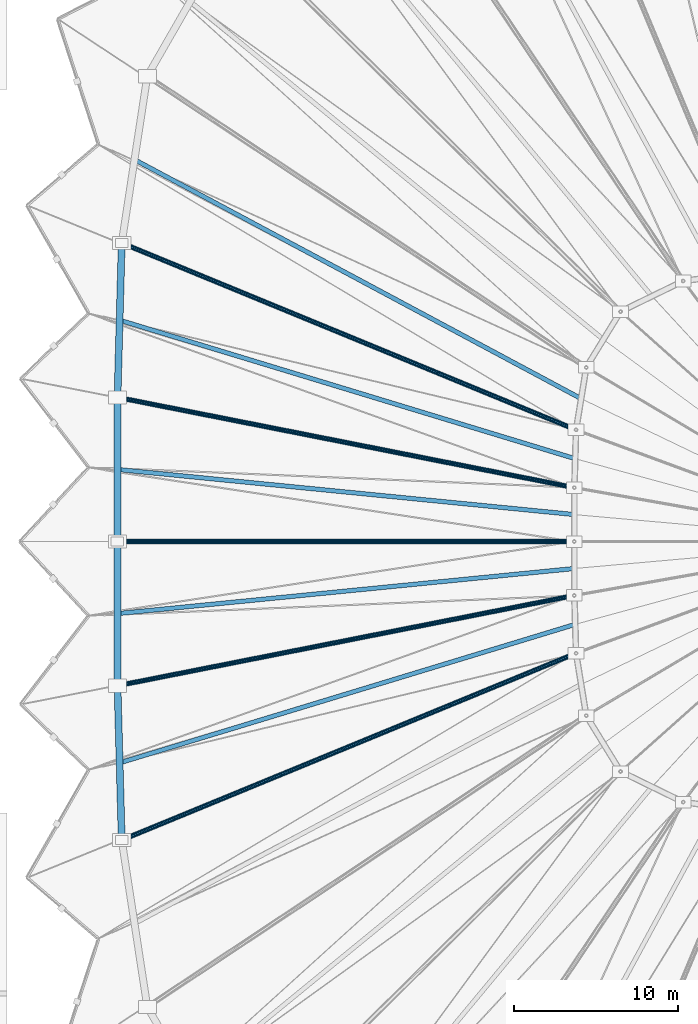
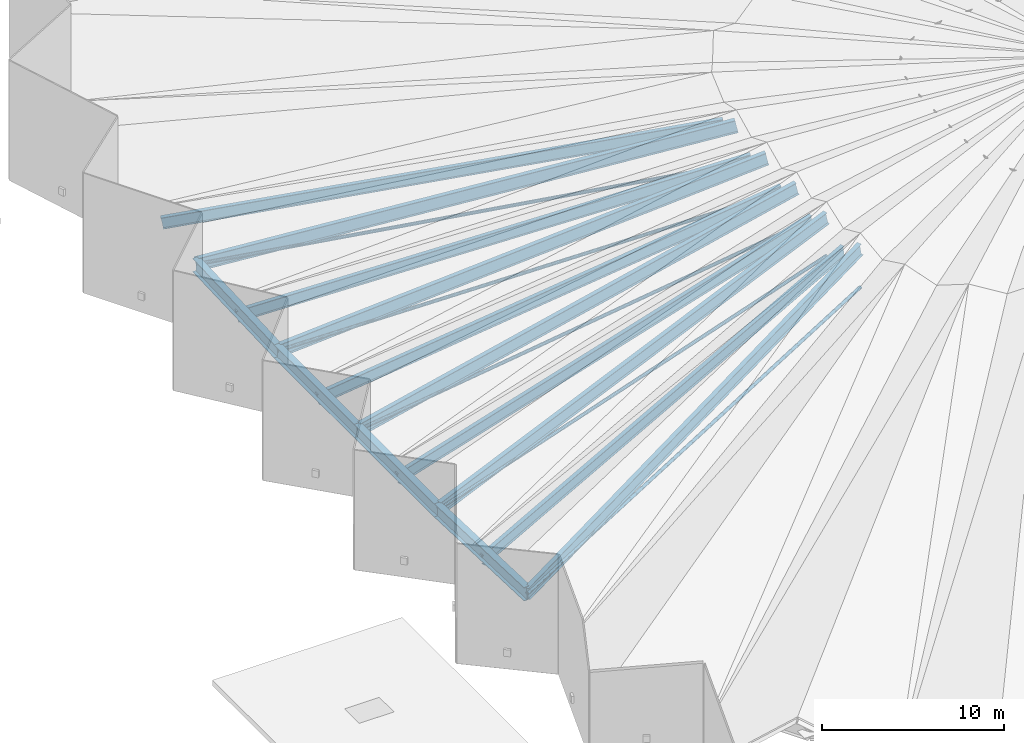
# One storey, part 5 of 41: 14 beams, 5 members.
"""IFC4 building model written with IfcOpenShell, lengths in metres."""

import ifcopenshell
import ifcopenshell.guid

model = None  # the IFC model being written
_history = None  # IfcOwnerHistory: only IFC2X3 demands one
_inside = {}  # id of a spatial element -> (the spatial element, [elements in it])
_under = {}  # id of a project, library or spatial element -> (it, [spatial elements below it])
_declared = {}  # id of a project -> (the project, [libraries it declares])
_typed = {}  # id of a type object -> (the type object, [elements of that type])
_made_of = {}  # id of a material, layer set ... -> (it, [elements and type objects made of it])


def new_model(schema):
    """Start an empty IFC model of exactly this schema.

    Asked for "IFC4X3", IfcOpenShell would pick the latest addendum, in which some entities
    have other attributes; the version numbers below select the first issue.
    IFC2X3 requires an IfcOwnerHistory on every rooted entity: one is made here for all.
    """
    global model, _history
    if schema == "IFC4X3":
        model = ifcopenshell.file(schema_version=(4, 3, 0, 0))
    else:
        model = ifcopenshell.file(schema=schema)
    _inside.clear()
    _under.clear()
    _declared.clear()
    _typed.clear()
    _made_of.clear()
    _history = None
    if model.schema == "IFC2X3":
        org = make("IfcOrganization", Name="unknown")
        user = make(
            "IfcPersonAndOrganization",
            ThePerson=make("IfcPerson", FamilyName="unknown"),
            TheOrganization=org,
        )
        app = make(
            "IfcApplication",
            ApplicationDeveloper=org,
            Version="unknown",
            ApplicationFullName="unknown",
            ApplicationIdentifier="unknown",
        )
        _history = make(
            "IfcOwnerHistory",
            OwningUser=user,
            OwningApplication=app,
            ChangeAction="ADDED",
            CreationDate=0,
        )
    return model


def make(cls, **values):
    """One entity of the class cls with the attributes given. An attribute that is None is left unset."""
    return model.create_entity(
        cls, **{name: value for name, value in values.items() if value is not None}
    )


def rooted(cls, **values):
    """An entity with a GlobalId (a new one), such as an element, a storey or a relation."""
    return make(cls, GlobalId=ifcopenshell.guid.new(), OwnerHistory=_history, **values)


def si_unit(unit_type, name, prefix=None):
    """IfcSIUnit, for example si_unit("LENGTHUNIT", "METRE", prefix="MILLI")."""
    return make("IfcSIUnit", UnitType=unit_type, Prefix=prefix, Name=name)


def assignment(units):
    """IfcUnitAssignment: the units of a project."""
    return None if units is None else make("IfcUnitAssignment", Units=units)


def point(xyz):
    """IfcCartesianPoint."""
    return None if xyz is None else make("IfcCartesianPoint", Coordinates=xyz)


def direction(xyz):
    """IfcDirection."""
    return None if xyz is None else make("IfcDirection", DirectionRatios=xyz)


def frame(location, z_axis=None, x_axis=None):
    """IfcAxis2Placement3D, a coordinate frame: its origin and axes. An axis left out is left unset."""
    return make(
        "IfcAxis2Placement3D",
        Location=point(location),
        Axis=direction(z_axis),
        RefDirection=direction(x_axis),
    )


def frame_2d(location, x_axis=None):
    """IfcAxis2Placement2D, a coordinate frame in the plane: its origin and x axis."""
    return make(
        "IfcAxis2Placement2D", Location=point(location), RefDirection=direction(x_axis)
    )


def origin():
    """The frame at (0, 0, 0) with its axes left unset."""
    return frame((0.0, 0.0, 0.0))


def origin_2d():
    """The frame at (0, 0) in the plane with its x axis left unset."""
    return frame_2d((0.0, 0.0))


def place(relative_to, where):
    """IfcLocalPlacement: puts the frame where relative to a parent placement (None: the world)."""
    return make(
        "IfcLocalPlacement", PlacementRelTo=relative_to, RelativePlacement=where
    )


def context(
    kind, dimensions, precision=None, world=None, true_north=None, identifier=None
):
    """IfcGeometricRepresentationContext, for example the 3D "Model" context."""
    return make(
        "IfcGeometricRepresentationContext",
        ContextIdentifier=identifier,
        ContextType=kind,
        CoordinateSpaceDimension=dimensions,
        Precision=precision,
        WorldCoordinateSystem=world,
        TrueNorth=true_north,
    )


def subcontext(parent, identifier, kind, view, scale=None):
    """IfcGeometricRepresentationSubContext, for example "Body" below "Model"."""
    return make(
        "IfcGeometricRepresentationSubContext",
        ContextIdentifier=identifier,
        ContextType=kind,
        ParentContext=parent,
        TargetScale=scale,
        TargetView=view,
    )


def project(units=None, contexts=None):
    """IfcProject with its units and contexts."""
    return rooted(
        "IfcProject",
        Name="project",
        RepresentationContexts=contexts,
        UnitsInContext=assignment(units),
    )


def spatial(cls, under=None, at=None, **own):
    """A site, building, storey or space (cls), placed at a placement, below another one or the project."""
    s = rooted(cls, ObjectPlacement=at, **own)
    if under is not None:
        _under.setdefault(under.id(), (under, []))[1].append(s)
    return s


def profile(cls, at=None, kind="AREA", **sizes):
    """A parametric profile (cls). Its sizes go by their IFC names, for example OverallWidth=200.0."""
    return make(cls, ProfileType=kind, Position=at, **sizes)


def hollow_circle(**sizes):
    """IfcCircleHollowProfileDef."""
    return profile("IfcCircleHollowProfileDef", **sizes)


def i_section(**sizes):
    """IfcIShapeProfileDef."""
    return profile("IfcIShapeProfileDef", **sizes)


def extrude(swept, where, along, depth):
    """IfcExtrudedAreaSolid: the profile swept, set in the frame where, extruded along a direction by depth."""
    return make(
        "IfcExtrudedAreaSolid",
        SweptArea=swept,
        Position=where,
        ExtrudedDirection=direction(along),
        Depth=depth,
    )


def shape(context_of_items, identifier, shape_type, items):
    """IfcShapeRepresentation: the items that make up one representation, for example the "Body"."""
    return make(
        "IfcShapeRepresentation",
        ContextOfItems=context_of_items,
        RepresentationIdentifier=identifier,
        RepresentationType=shape_type,
        Items=items,
    )


def material(Name=None, Category=None):
    """IfcMaterial."""
    return make("IfcMaterial", Name=Name, Category=Category)


def material_profile(
    of_material, cross_section, Name=None, Category=None, Priority=None
):
    """IfcMaterialProfile: a cross section and its material."""
    return make(
        "IfcMaterialProfile",
        Name=Name,
        Material=of_material,
        Profile=cross_section,
        Priority=Priority,
        Category=Category,
    )


def profile_set(profiles, Name=None, composite=None):
    """IfcMaterialProfileSet."""
    return make(
        "IfcMaterialProfileSet",
        Name=Name,
        MaterialProfiles=profiles,
        CompositeProfile=composite,
    )


def made_of(thing, what):
    """Note that an element or type object is made of a material, layer set ...; save() writes the relation."""
    if what is not None:
        _made_of.setdefault(what.id(), (what, []))[1].append(thing)
    return thing


def type_object(cls, material=None, **own):
    """A type object (cls), such as IfcWallType, which elements share."""
    return made_of(rooted(cls, **own), material)


def element(
    cls,
    number,
    at=None,
    inside=None,
    cuts=None,
    type_object=None,
    material=None,
    context=None,
    identifier="Body",
    shape_type=None,
    held_by="IfcProductDefinitionShape",
    body=None,
    shapes=None,
    **own,
):
    """One element of the class cls, such as IfcWall. Its Tag is "e" and its number.

    at: its placement. inside: the storey or other place that contains it. cuts: it is an
    opening in that element (IfcRelVoidsElement). A single representation is given by context,
    identifier, shape_type and body (its items); several are given by shapes. held_by: the class
    of the entity that holds the representations. save() writes the other relations.
    """
    e = rooted(cls, Tag="e%d" % number, ObjectPlacement=at, **own)
    if body is not None:
        shapes = [shape(context, identifier, shape_type, body)]
    if shapes is not None:
        e.Representation = make(held_by, Representations=shapes)
    if inside is not None:
        _inside.setdefault(inside.id(), (inside, []))[1].append(e)
    if cuts is not None:
        rooted(
            "IfcRelVoidsElement", RelatingBuildingElement=cuts, RelatedOpeningElement=e
        )
    if type_object is not None:
        _typed.setdefault(type_object.id(), (type_object, []))[1].append(e)
    return made_of(e, material)


def aggregate(whole, parts):
    """IfcRelAggregates: a whole, such as a stair, and the parts it consists of."""
    return rooted("IfcRelAggregates", RelatingObject=whole, RelatedObjects=parts)


def save(model, path):
    """Write the relations noted so far, then the file.

    IfcRelAggregates (storeys below a building ...), IfcRelContainedInSpatialStructure (elements
    in a storey), IfcRelDefinesByType, IfcRelAssociatesMaterial and IfcRelDeclares: one each for
    every whole, place, type object, material and project.
    """
    for whole, parts in _under.values():
        aggregate(whole, parts)
    for where, things in _inside.values():
        rooted(
            "IfcRelContainedInSpatialStructure",
            RelatedElements=things,
            RelatingStructure=where,
        )
    for kind, things in _typed.values():
        rooted("IfcRelDefinesByType", RelatedObjects=things, RelatingType=kind)
    for what, things in _made_of.values():
        rooted("IfcRelAssociatesMaterial", RelatedObjects=things, RelatingMaterial=what)
    for by, libraries in _declared.values():
        rooted("IfcRelDeclares", RelatingContext=by, RelatedDefinitions=libraries)
    model.write(path)


model = new_model("IFC4")

# Units and contexts
model_context = context("Model", 3, precision=1e-05, world=origin(), true_north=direction((0.0, 1.0)))
body_context = subcontext(model_context, "Body", "Model", "MODEL_VIEW")
ifc_project = project(units=[si_unit("LENGTHUNIT", "METRE"), si_unit("AREAUNIT", "SQUARE_METRE"), si_unit("VOLUMEUNIT", "CUBIC_METRE"), si_unit("PLANEANGLEUNIT", "RADIAN"), si_unit("MASSUNIT", "GRAM", prefix="KILO")], contexts=[model_context])

# Site, building, storey
site_placement = place(None, origin())
site = spatial("IfcSite", under=ifc_project, at=site_placement, CompositionType="ELEMENT")
building_placement = place(site_placement, origin())
building = spatial("IfcBuilding", under=site, at=building_placement, Name="Luwafu Chhajja Arena", CompositionType="ELEMENT")
storey_placement = place(building_placement, frame((0.0, 0.0, 29.699951171875)))
storey = spatial("IfcBuildingStorey", under=building, at=storey_placement, Name="RF", CompositionType="ELEMENT", Elevation=29.699951171875)

# Beams
ifc_material = material(Name="Steel S355", Category="steel")
ifc_material_profile_1 = material_profile(ifc_material, i_section(OverallWidth=0.29248046875, OverallDepth=0.8408203125, WebThickness=0.0146484375, FlangeThickness=0.021728515625, at=origin_2d()), Name="UB 838x292x194")
ifc_profile_set_1 = profile_set([ifc_material_profile_1], Name="Steel S355")
beam_type_1 = type_object("IfcBeamType", Name="Folded Roof Ridge Girder UB 838x292x194", PredefinedType="BEAM", material=ifc_profile_set_1)
beam_1_placement = place(storey_placement, frame((52.968017578125, 67.6611328125, 0.179931640625), z_axis=(0.903721333202, -0.371642526178, 0.212531373334), x_axis=(0.38033148676, 0.924850236621, 0.0)))
element("IfcBeam", 1, at=beam_1_placement, inside=storey, type_object=beam_type_1, Name="Roof truss ridge beam FR-15", PredefinedType="BEAM", context=body_context, shape_type="SweptSolid", body=[
    extrude(i_section(OverallWidth=0.29248046875, OverallDepth=0.8408203125, WebThickness=0.0146484375, FlangeThickness=0.021728515625, at=origin_2d()), origin(), (0.0, 0.0, 1.0), 30.583740234375),
])
beam_2_placement = place(storey_placement, frame((52.71240234375, 58.269775390625, 0.179931640625), z_axis=(0.956205891368, -0.188833822132, 0.223633809903), x_axis=(0.19374064553, 0.981052782611, 0.0)))
element("IfcBeam", 2, at=beam_2_placement, inside=storey, type_object=beam_type_1, Name="Roof truss ridge beam FR-16", PredefinedType="BEAM", context=body_context, shape_type="SweptSolid", body=[
    extrude(i_section(OverallWidth=0.29248046875, OverallDepth=0.8408203125, WebThickness=0.0146484375, FlangeThickness=0.021728515625, at=origin_2d()), origin(), (0.0, 0.0, 1.0), 29.0654296875),
])
beam_3_placement = place(storey_placement, frame((52.699951171875, 49.5, 0.179931640625), z_axis=(0.973737852779, 0.0, 0.22767211965), x_axis=(0.0, 1.0, 0.0)))
element("IfcBeam", 3, at=beam_3_placement, inside=storey, type_object=beam_type_1, Name="Roof truss ridge beam FR-17", PredefinedType="BEAM", context=body_context, shape_type="SweptSolid", body=[
    extrude(i_section(OverallWidth=0.29248046875, OverallDepth=0.8408203125, WebThickness=0.0146484375, FlangeThickness=0.021728515625, at=origin_2d()), origin(), (0.0, 0.0, 1.0), 28.5498046875),
])
beam_4_placement = place(storey_placement, frame((52.71240234375, 40.730224609375, 0.179931640625), z_axis=(0.956205891368, 0.188833822132, 0.223633809903), x_axis=(-0.19374064553, 0.981052782611, 0.0)))
element("IfcBeam", 4, at=beam_4_placement, inside=storey, type_object=beam_type_1, Name="Roof truss ridge beam FR-18", PredefinedType="BEAM", context=body_context, shape_type="SweptSolid", body=[
    extrude(i_section(OverallWidth=0.29248046875, OverallDepth=0.8408203125, WebThickness=0.0146484375, FlangeThickness=0.021728515625, at=origin_2d()), origin(), (0.0, 0.0, 1.0), 29.0654296875),
])
beam_5_placement = place(storey_placement, frame((52.968017578125, 31.3388671875, 0.179931640625), z_axis=(0.903721333202, 0.371642526178, 0.212531373334), x_axis=(-0.38033148676, 0.924850236621, 0.0)))
element("IfcBeam", 5, at=beam_5_placement, inside=storey, type_object=beam_type_1, Name="Roof truss ridge beam FR-19", PredefinedType="BEAM", context=body_context, shape_type="SweptSolid", body=[
    extrude(i_section(OverallWidth=0.29248046875, OverallDepth=0.8408203125, WebThickness=0.0146484375, FlangeThickness=0.021728515625, at=origin_2d()), origin(), (0.0, 0.0, 1.0), 30.583740234375),
])
ifc_material_profile_2 = material_profile(ifc_material, i_section(OverallWidth=0.2666015625, OverallDepth=0.76220703125, WebThickness=0.014404296875, FlangeThickness=0.021484375, at=origin_2d()), Name="UB 762x267x173")
ifc_profile_set_2 = profile_set([ifc_material_profile_2], Name="Steel S355")
beam_type_2 = type_object("IfcBeamType", Name="Folded Roof Valley Girder UB 762x267x173", PredefinedType="BEAM", material=ifc_profile_set_2)
beam_6_placement = place(storey_placement, frame((53.74609375, 72.7333984375, -0.3798828125), z_axis=(0.865967265164, -0.463406397163, 0.188029802778), x_axis=(0.471822136154, 0.881693751727, 0.0)))
element("IfcBeam", 6, at=beam_6_placement, inside=storey, type_object=beam_type_2, Name="Roof truss valley beam FV-14", PredefinedType="BEAM", context=body_context, shape_type="SweptSolid", body=[
    extrude(i_section(OverallWidth=0.2666015625, OverallDepth=0.76220703125, WebThickness=0.014404296875, FlangeThickness=0.021484375, at=origin_2d()), origin(), (0.0, 0.0, 1.0), 31.37744140625),
])
beam_7_placement = place(storey_placement, frame((52.840087890625, 62.96533203125, -0.3798828125), z_axis=(0.937504814036, -0.285056826494, 0.199567856453), x_axis=(0.290908744238, 0.956750804821, 0.0)))
element("IfcBeam", 7, at=beam_7_placement, inside=storey, type_object=beam_type_2, Name="Roof truss valley beam FV-15", PredefinedType="BEAM", context=body_context, shape_type="SweptSolid", body=[
    extrude(i_section(OverallWidth=0.2666015625, OverallDepth=0.76220703125, WebThickness=0.014404296875, FlangeThickness=0.021484375, at=origin_2d()), origin(), (0.0, 0.0, 1.0), 29.5634765625),
])
for number, where, z_axis, x_axis, name in (
    (8, (52.706298828125, 53.885009765625, -0.3798828125), (0.973676695263, -0.096133608525, 0.206668871419), (0.098254837604, 0.995161286871, 0.0), "Roof truss valley beam FV-16"),
    (9, (52.706298828125, 45.114990234375, -0.3798828125), (0.973676695263, 0.096133608525, 0.206668871419), (-0.098254837604, 0.995161286871, 0.0), "Roof truss valley beam FV-17"),
):
    element("IfcBeam", number, at=place(storey_placement, frame(where, z_axis=z_axis, x_axis=x_axis)), inside=storey, type_object=beam_type_2, Name=name, PredefinedType="BEAM", context=body_context, shape_type="SweptSolid", body=[
        extrude(i_section(OverallWidth=0.2666015625, OverallDepth=0.76220703125, WebThickness=0.014404296875, FlangeThickness=0.021484375, at=origin_2d()), origin(), (0.0, 0.0, 1.0), 28.547607421875),
    ])
beam_8_placement = place(storey_placement, frame((52.840087890625, 36.03466796875, -0.3798828125), z_axis=(0.937504814036, 0.285056826494, 0.199567856453), x_axis=(-0.290908744238, 0.956750804821, 0.0)))
element("IfcBeam", 10, at=beam_8_placement, inside=storey, type_object=beam_type_2, Name="Roof truss valley beam FV-18", PredefinedType="BEAM", context=body_context, shape_type="SweptSolid", body=[
    extrude(i_section(OverallWidth=0.2666015625, OverallDepth=0.76220703125, WebThickness=0.014404296875, FlangeThickness=0.021484375, at=origin_2d()), origin(), (0.0, 0.0, 1.0), 29.5634765625),
])
ifc_material_profile_3 = material_profile(ifc_material, i_section(OverallWidth=0.41845703125, OverallDepth=0.911865234375, WebThickness=0.019287109375, FlangeThickness=0.031982421875, at=origin_2d()), Name="UB 914x419x343")
ifc_profile_set_3 = profile_set([ifc_material_profile_3], Name="Steel S355")
beam_type_3 = type_object("IfcBeamType", Name="Outer Compression Ring Girder UB 914x419x343", PredefinedType="BEAM", material=ifc_profile_set_3)
beam_9_placement = place(storey_placement, frame((52.968017578125, 67.6611328125, 0.179931640625), z_axis=(-0.02720805866, -0.999629792245, 0.0), x_axis=(0.999629792245, -0.02720805866, 0.0)))
element("IfcBeam", 11, at=beam_9_placement, inside=storey, type_object=beam_type_3, Name="Roof Outer Compression Ring Beam OR-15", PredefinedType="BEAM", context=body_context, shape_type="SweptSolid", body=[
    extrude(i_section(OverallWidth=0.41845703125, OverallDepth=0.911865234375, WebThickness=0.019287109375, FlangeThickness=0.031982421875, at=origin_2d()), origin(), (0.0, 0.0, 1.0), 9.394775390625),
])
for number, where, z_axis, x_axis, name in (
    (12, (52.71240234375, 58.269775390625, 0.179931640625), (-0.001419780869, -0.999998992111, 0.0), (0.999998992111, -0.001419780869, 0.0), "Roof Outer Compression Ring Beam OR-16"),
    (13, (52.699951171875, 49.5, 0.179931640625), (0.001419780869, -0.999998992111, 0.0), (0.999998992111, 0.001419780869, 0.0), "Roof Outer Compression Ring Beam OR-17"),
):
    element("IfcBeam", number, at=place(storey_placement, frame(where, z_axis=z_axis, x_axis=x_axis)), inside=storey, type_object=beam_type_3, Name=name, PredefinedType="BEAM", context=body_context, shape_type="SweptSolid", body=[
        extrude(i_section(OverallWidth=0.41845703125, OverallDepth=0.911865234375, WebThickness=0.019287109375, FlangeThickness=0.031982421875, at=origin_2d()), origin(), (0.0, 0.0, 1.0), 8.769775390625),
    ])
beam_10_placement = place(storey_placement, frame((52.71240234375, 40.730224609375, 0.179931640625), z_axis=(0.02720805866, -0.999629792245, 0.0), x_axis=(0.999629792245, 0.02720805866, 0.0)))
element("IfcBeam", 14, at=beam_10_placement, inside=storey, type_object=beam_type_3, Name="Roof Outer Compression Ring Beam OR-18", PredefinedType="BEAM", context=body_context, shape_type="SweptSolid", body=[
    extrude(i_section(OverallWidth=0.41845703125, OverallDepth=0.911865234375, WebThickness=0.019287109375, FlangeThickness=0.031982421875, at=origin_2d()), origin(), (0.0, 0.0, 1.0), 9.394775390625),
])

# Members
ifc_material_profile_4 = material_profile(ifc_material, hollow_circle(Radius=0.109619140625, WallThickness=0.010009765625, at=origin_2d()), Name="CHS 219.1x10")
ifc_profile_set_4 = profile_set([ifc_material_profile_4], Name="Steel S355")
member_type = type_object("IfcMemberType", Name="Roof Plan Wind Plan Brace CHS 219", PredefinedType="BRACE", material=ifc_profile_set_4)
member_1_placement = place(storey_placement, frame((52.968017578125, 67.6611328125, 0.179931640625), z_axis=(0.916994578795, -0.377100959371, 0.130060789256), x_axis=(0.38033148676, 0.924850236621, 0.0)))
element("IfcMember", 15, at=member_1_placement, inside=storey, type_object=member_type, Name="Roof truss diagonal web RW-15", PredefinedType="BRACE", context=body_context, shape_type="SweptSolid", body=[
    extrude(hollow_circle(Radius=0.109619140625, WallThickness=0.010009765625, at=origin_2d()), origin(), (0.0, 0.0, 1.0), 30.14111328125),
])
member_2_placement = place(storey_placement, frame((52.71240234375, 58.269775390625, 0.179931640625), z_axis=(0.971792624942, -0.191911927488, 0.137072631096), x_axis=(0.19374064553, 0.981052782611, 0.0)))
element("IfcMember", 16, at=member_2_placement, inside=storey, type_object=member_type, Name="Roof truss diagonal web RW-16", PredefinedType="BRACE", context=body_context, shape_type="SweptSolid", body=[
    extrude(hollow_circle(Radius=0.109619140625, WallThickness=0.010009765625, at=origin_2d()), origin(), (0.0, 0.0, 1.0), 28.59912109375),
])
member_3_placement = place(storey_placement, frame((52.699951171875, 49.5, 0.179931640625), z_axis=(0.990203538074, 0.0, 0.139631490668), x_axis=(0.0, 1.0, 0.0)))
element("IfcMember", 17, at=member_3_placement, inside=storey, type_object=member_type, Name="Roof truss diagonal web RW-17", PredefinedType="BRACE", context=body_context, shape_type="SweptSolid", body=[
    extrude(hollow_circle(Radius=0.109619140625, WallThickness=0.010009765625, at=origin_2d()), origin(), (0.0, 0.0, 1.0), 28.0751953125),
])
member_4_placement = place(storey_placement, frame((52.71240234375, 40.730224609375, 0.179931640625), z_axis=(0.971792624942, 0.191911927488, 0.137072631096), x_axis=(-0.19374064553, 0.981052782611, 0.0)))
element("IfcMember", 18, at=member_4_placement, inside=storey, type_object=member_type, Name="Roof truss diagonal web RW-18", PredefinedType="BRACE", context=body_context, shape_type="SweptSolid", body=[
    extrude(hollow_circle(Radius=0.109619140625, WallThickness=0.010009765625, at=origin_2d()), origin(), (0.0, 0.0, 1.0), 28.59912109375),
])
member_5_placement = place(storey_placement, frame((52.968017578125, 31.3388671875, 0.179931640625), z_axis=(0.916994578795, 0.377100959371, 0.130060789256), x_axis=(-0.38033148676, 0.924850236621, 0.0)))
element("IfcMember", 19, at=member_5_placement, inside=storey, type_object=member_type, Name="Roof truss diagonal web RW-19", PredefinedType="BRACE", context=body_context, shape_type="SweptSolid", body=[
    extrude(hollow_circle(Radius=0.109619140625, WallThickness=0.010009765625, at=origin_2d()), origin(), (0.0, 0.0, 1.0), 30.14111328125),
])

save(model, "model.ifc")
